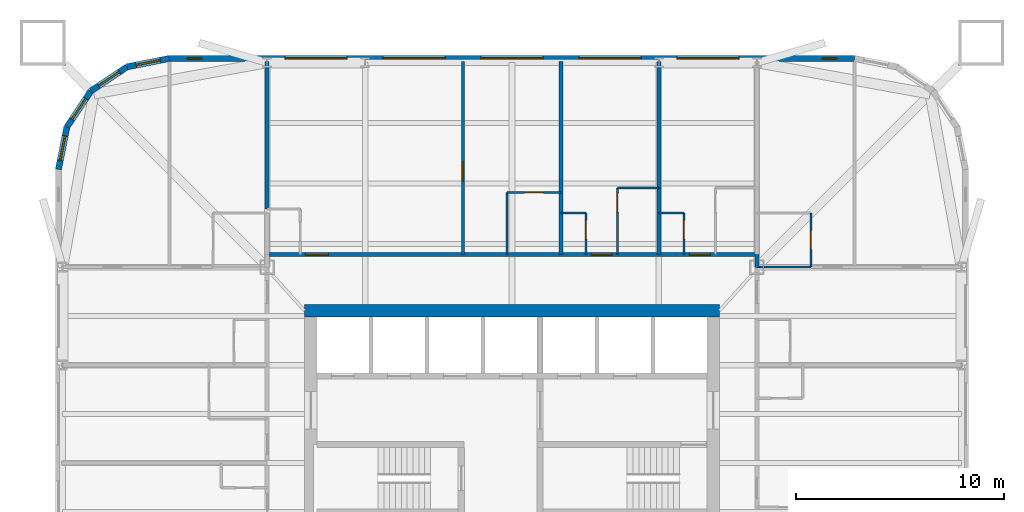
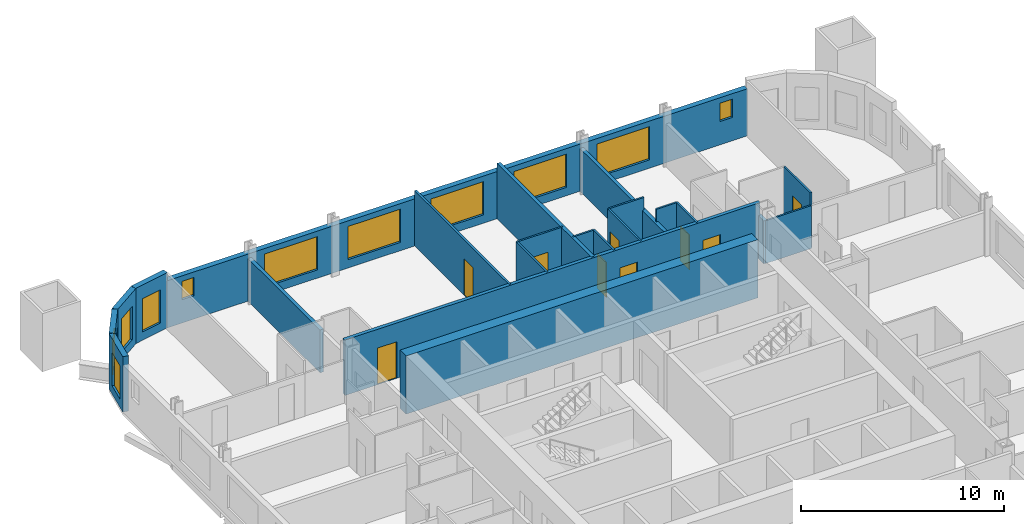
# One storey, part 7 of 9: 22 walls, 11 windows, 9 doors, 20 openings.
"""IFC4 building model written with IfcOpenShell, lengths in metres."""

from ifc_helpers import new_model, si_unit, direction, frame, frame_2d, origin, place, context, subcontext, project, spatial, rectangle, extrude, material, layer, layer_set, type_object, element, fill, save


model = new_model("IFC4")

# Units and contexts
model_context = context("Model", 3, precision=1e-05, world=origin(), true_north=direction((0.0, 1.0)))
body_context = subcontext(model_context, "Body", "Model", "MODEL_VIEW")
ifc_project = project(units=[si_unit("LENGTHUNIT", "METRE"), si_unit("AREAUNIT", "SQUARE_METRE"), si_unit("VOLUMEUNIT", "CUBIC_METRE"), si_unit("PLANEANGLEUNIT", "RADIAN"), si_unit("MASSUNIT", "GRAM", prefix="KILO")], contexts=[model_context])

# Site, building, storey
site_placement = place(None, origin())
site = spatial("IfcSite", under=ifc_project, at=site_placement, CompositionType="ELEMENT")
building_placement = place(site_placement, origin())
building = spatial("IfcBuilding", under=site, at=building_placement, Name="Turquesa Mirador Hotel Tower", CompositionType="ELEMENT")
storey_placement = place(building_placement, frame((0.0, 0.0, 35.5)))
storey = spatial("IfcBuildingStorey", under=building, at=storey_placement, Name="L08", CompositionType="ELEMENT", Elevation=35.5)

# Walls
ifc_material_1 = material(Name="Gypsum board on steel studs", Category="steel")
ifc_layer_1 = layer(ifc_material_1, 0.10009765625)
ifc_layer_set_1 = layer_set([ifc_layer_1], Name="BATHROOM WALL 100")
wall_type_1 = type_object("IfcWallType", Name="BATHROOM WALL 100", PredefinedType="PARTITIONING", material=ifc_layer_set_1)
wall_1_placement = place(storey_placement, frame((66.800048828125, 56.800048828125, 0.0), z_axis=(0.0, 0.0, 1.0), x_axis=(1.0, 0.0, 0.0)))
element("IfcWall", 1, at=wall_1_placement, inside=storey, type_object=wall_type_1, Name="Partition L08 025", PredefinedType="PARTITIONING", context=body_context, shape_type="SweptSolid", body=[
    extrude(rectangle(XDim=2.599853515625, YDim=0.10009765625, at=frame_2d((1.2998046875, 0.0))), origin(), (0.0, 0.0, 1.0), 2.572998046875),
])
for number, where, z_axis, x_axis, name in (
    (2, (57.360107421875, 59.39990234375, 0.0), (0.0, 0.0, 1.0), (1.0, 0.0, 0.0), "Partition L08 030"),
    (3, (62.080078125, 59.39990234375, 0.0), (0.0, 0.0, 1.0), (1.0, 0.0, 0.0), "Partition L08 031"),
):
    element("IfcWall", number, at=place(storey_placement, frame(where, z_axis=z_axis, x_axis=x_axis)), inside=storey, type_object=wall_type_1, Name=name, PredefinedType="PARTITIONING", context=body_context, shape_type="SweptSolid", body=[
        extrude(rectangle(XDim=1.199951171875, YDim=0.10009765625, at=frame_2d((0.60009765625, 0.0))), origin(), (0.0, 0.0, 1.0), 3.330078125),
    ])

# Wall, opening, door
wall_2_placement = place(storey_placement, frame((54.760009765625, 60.39990234375, 0.0), z_axis=(0.0, 0.0, 1.0), x_axis=(1.0, 0.0, 0.0)))
wall_2 = element("IfcWall", 4, at=wall_2_placement, inside=storey, type_object=wall_type_1, Name="Partition L08 034", PredefinedType="PARTITIONING", context=body_context, shape_type="SweptSolid", body=[
    extrude(rectangle(XDim=2.60009765625, YDim=0.10009765625, at=frame_2d((1.300048828125, 0.0))), origin(), (0.0, 0.0, 1.0), 3.330078125),
])
opening_1_placement = place(wall_2_placement, frame((0.85009765625, 0.0, 0.0)))
opening_1 = element("IfcOpeningElement", 5, at=opening_1_placement, cuts=wall_2, Name="Opening D02", PredefinedType="OPENING", context=body_context, shape_type="SweptSolid", body=[
    extrude(rectangle(XDim=0.89990234375, YDim=2.10009765625, at=frame_2d((0.449951171875, 1.050048828125))), frame((0.0, 0.06005859375, 0.0), z_axis=(0.0, -1.0, 0.0), x_axis=(1.0, 0.0, 0.0)), (0.0, 0.0, 1.0), 0.1201171875),
])
ifc_material_2 = material(Name="Timber veneered door", Category="wood")
door_type_1 = type_object("IfcDoorType", Name="DOOR 900X2100 EN-SUITE", OperationType="SINGLE_SWING_RIGHT", PredefinedType="DOOR", material=ifc_material_2)
door_1_placement = place(opening_1_placement, origin())
door_1 = element("IfcDoor", 6, at=door_1_placement, inside=storey, type_object=door_type_1, Name="Door 0801B", OperationType="SINGLE_SWING_RIGHT", OverallHeight=2.10009765625, OverallWidth=0.89990234375, PredefinedType="DOOR", context=body_context, shape_type="SweptSolid", body=[
    extrude(rectangle(XDim=0.89990234375, YDim=2.10009765625, at=frame_2d((0.449951171875, 1.050048828125))), frame((0.0, 0.02490234375, 0.0), z_axis=(0.0, -1.0, 0.0), x_axis=(1.0, 0.0, 0.0)), (0.0, 0.0, 1.0), 0.050048828125),
])
fill(opening_1, door_1)

# Walls
wall_3_placement = place(storey_placement, frame((60.080078125, 60.60009765625, 0.0), z_axis=(0.0, 0.0, 1.0), x_axis=(1.0, 0.0, 0.0)))
element("IfcWall", 7, at=wall_3_placement, inside=storey, type_object=wall_type_1, Name="Partition L08 035", PredefinedType="PARTITIONING", context=body_context, shape_type="SweptSolid", body=[
    extrude(rectangle(XDim=2.0, YDim=0.10009765625, at=frame_2d((1.0, 0.0))), origin(), (0.0, 0.0, 1.0), 3.330078125),
])
wall_4_placement = place(storey_placement, frame((54.760009765625, 57.39990234375, 0.0), z_axis=(0.0, 0.0, 1.0), x_axis=(0.0, 1.0, 0.0)))
element("IfcWall", 8, at=wall_4_placement, inside=storey, type_object=wall_type_1, Name="Partition L08 045", PredefinedType="PARTITIONING", context=body_context, shape_type="SweptSolid", body=[
    extrude(rectangle(XDim=3.0, YDim=0.10009765625, at=frame_2d((1.5, 0.0))), origin(), (0.0, 0.0, 1.0), 3.330078125),
])

# Wall, opening, door
wall_5_placement = place(storey_placement, frame((69.39990234375, 56.800048828125, 0.0), z_axis=(0.0, 0.0, 1.0), x_axis=(0.0, 1.0, 0.0)))
wall_5 = element("IfcWall", 9, at=wall_5_placement, inside=storey, type_object=wall_type_1, Name="Partition L08 073", PredefinedType="PARTITIONING", context=body_context, shape_type="SweptSolid", body=[
    extrude(rectangle(XDim=2.599853515625, YDim=0.10009765625, at=frame_2d((1.2998046875, 0.0))), origin(), (0.0, 0.0, 1.0), 3.330078125),
])
opening_2_placement = place(wall_5_placement, frame((0.85009765625, 0.0, 0.0)))
opening_2 = element("IfcOpeningElement", 10, at=opening_2_placement, cuts=wall_5, Name="Opening D02", PredefinedType="OPENING", context=body_context, shape_type="SweptSolid", body=[
    extrude(rectangle(XDim=0.89990234375, YDim=2.10009765625, at=frame_2d((0.449951171875, 1.050048828125))), frame((0.0, 0.06005859375, 0.0), z_axis=(0.0, -1.0, 0.0), x_axis=(1.0, 0.0, 0.0)), (0.0, 0.0, 1.0), 0.1201171875),
])
door_2_placement = place(opening_2_placement, origin())
door_2 = element("IfcDoor", 11, at=door_2_placement, inside=storey, type_object=door_type_1, Name="Door 0812B", OperationType="SINGLE_SWING_RIGHT", OverallHeight=2.10009765625, OverallWidth=0.89990234375, PredefinedType="DOOR", context=body_context, shape_type="SweptSolid", body=[
    extrude(rectangle(XDim=0.89990234375, YDim=2.10009765625, at=frame_2d((0.449951171875, 1.050048828125))), frame((0.0, 0.02490234375, 0.0), z_axis=(0.0, -1.0, 0.0), x_axis=(1.0, 0.0, 0.0)), (0.0, 0.0, 1.0), 0.050048828125),
])
fill(opening_2, door_2)

wall_6_placement = place(storey_placement, frame((58.56005859375, 57.39990234375, 0.0), z_axis=(0.0, 0.0, 1.0), x_axis=(0.0, 1.0, 0.0)))
wall_6 = element("IfcWall", 12, at=wall_6_placement, inside=storey, type_object=wall_type_1, Name="Partition L08 080", PredefinedType="PARTITIONING", context=body_context, shape_type="SweptSolid", body=[
    extrude(rectangle(XDim=2.0, YDim=0.10009765625, at=frame_2d((1.0, 0.0))), origin(), (0.0, 0.0, 1.0), 3.330078125),
])
opening_3_placement = place(wall_6_placement, frame((0.75, 0.0, 0.0)))
opening_3 = element("IfcOpeningElement", 13, at=opening_3_placement, cuts=wall_6, Name="Opening D06", PredefinedType="OPENING", context=body_context, shape_type="SweptSolid", body=[
    extrude(rectangle(XDim=0.89990234375, YDim=2.10009765625, at=frame_2d((0.449951171875, 1.050048828125))), frame((0.0, 0.06005859375, 0.0), z_axis=(0.0, -1.0, 0.0), x_axis=(1.0, 0.0, 0.0)), (0.0, 0.0, 1.0), 0.1201171875),
])
ifc_material_3 = material(Name="Laminate door", Category="wood")
door_type_2 = type_object("IfcDoorType", Name="DOOR 900X2100 WC", OperationType="SINGLE_SWING_LEFT", PredefinedType="DOOR", material=ifc_material_3)
door_3_placement = place(opening_3_placement, origin())
door_3 = element("IfcDoor", 14, at=door_3_placement, inside=storey, type_object=door_type_2, Name="Door 0802W", OperationType="SINGLE_SWING_LEFT", OverallHeight=2.10009765625, OverallWidth=0.89990234375, PredefinedType="DOOR", context=body_context, shape_type="SweptSolid", body=[
    extrude(rectangle(XDim=0.89990234375, YDim=2.10009765625, at=frame_2d((0.449951171875, 1.050048828125))), frame((0.0, 0.02490234375, 0.0), z_axis=(0.0, -1.0, 0.0), x_axis=(1.0, 0.0, 0.0)), (0.0, 0.0, 1.0), 0.050048828125),
])
fill(opening_3, door_3)

wall_7_placement = place(storey_placement, frame((60.080078125, 57.39990234375, 0.0), z_axis=(0.0, 0.0, 1.0), x_axis=(0.0, 1.0, 0.0)))
wall_7 = element("IfcWall", 15, at=wall_7_placement, inside=storey, type_object=wall_type_1, Name="Partition L08 082", PredefinedType="PARTITIONING", context=body_context, shape_type="SweptSolid", body=[
    extrude(rectangle(XDim=3.2001953125, YDim=0.10009765625, at=frame_2d((1.60009765625, 0.0))), origin(), (0.0, 0.0, 1.0), 3.330078125),
])
opening_4_placement = place(wall_7_placement, frame((2.050048828125, 0.0, 0.0)))
opening_4 = element("IfcOpeningElement", 16, at=opening_4_placement, cuts=wall_7, Name="Opening D02", PredefinedType="OPENING", context=body_context, shape_type="SweptSolid", body=[
    extrude(rectangle(XDim=0.89990234375, YDim=2.10009765625, at=frame_2d((0.449951171875, 1.050048828125))), frame((0.0, 0.06005859375, 0.0), z_axis=(0.0, -1.0, 0.0), x_axis=(1.0, 0.0, 0.0)), (0.0, 0.0, 1.0), 0.1201171875),
])
door_4_placement = place(opening_4_placement, origin())
door_4 = element("IfcDoor", 17, at=door_4_placement, inside=storey, type_object=door_type_1, Name="Door 0802B", OperationType="SINGLE_SWING_RIGHT", OverallHeight=2.10009765625, OverallWidth=0.89990234375, PredefinedType="DOOR", context=body_context, shape_type="SweptSolid", body=[
    extrude(rectangle(XDim=0.89990234375, YDim=2.10009765625, at=frame_2d((0.449951171875, 1.050048828125))), frame((0.0, 0.02490234375, 0.0), z_axis=(0.0, -1.0, 0.0), x_axis=(1.0, 0.0, 0.0)), (0.0, 0.0, 1.0), 0.050048828125),
])
fill(opening_4, door_4)

wall_8_placement = place(storey_placement, frame((63.280029296875, 57.39990234375, 0.0), z_axis=(0.0, 0.0, 1.0), x_axis=(0.0, 1.0, 0.0)))
wall_8 = element("IfcWall", 18, at=wall_8_placement, inside=storey, type_object=wall_type_1, Name="Partition L08 085", PredefinedType="PARTITIONING", context=body_context, shape_type="SweptSolid", body=[
    extrude(rectangle(XDim=2.0, YDim=0.10009765625, at=frame_2d((1.0, 0.0))), origin(), (0.0, 0.0, 1.0), 3.330078125),
])
opening_5_placement = place(wall_8_placement, frame((0.75, 0.0, 0.0)))
opening_5 = element("IfcOpeningElement", 19, at=opening_5_placement, cuts=wall_8, Name="Opening D06", PredefinedType="OPENING", context=body_context, shape_type="SweptSolid", body=[
    extrude(rectangle(XDim=0.89990234375, YDim=2.10009765625, at=frame_2d((0.449951171875, 1.050048828125))), frame((0.0, 0.06005859375, 0.0), z_axis=(0.0, -1.0, 0.0), x_axis=(1.0, 0.0, 0.0)), (0.0, 0.0, 1.0), 0.1201171875),
])
door_5_placement = place(opening_5_placement, origin())
door_5 = element("IfcDoor", 20, at=door_5_placement, inside=storey, type_object=door_type_2, Name="Door 0803W", OperationType="SINGLE_SWING_LEFT", OverallHeight=2.10009765625, OverallWidth=0.89990234375, PredefinedType="DOOR", context=body_context, shape_type="SweptSolid", body=[
    extrude(rectangle(XDim=0.89990234375, YDim=2.10009765625, at=frame_2d((0.449951171875, 1.050048828125))), frame((0.0, 0.02490234375, 0.0), z_axis=(0.0, -1.0, 0.0), x_axis=(1.0, 0.0, 0.0)), (0.0, 0.0, 1.0), 0.050048828125),
])
fill(opening_5, door_5)

# Wall
ifc_material_4 = material(Name="Concrete C50/60", Category="concrete")
ifc_layer_2 = layer(ifc_material_4, 0.60009765625)
ifc_layer_set_2 = layer_set([ifc_layer_2], Name="CORE WALL 600")
wall_type_2 = type_object("IfcWallType", Name="CORE WALL 600", PredefinedType="SHEAR", material=ifc_layer_set_2)
wall_9_placement = place(storey_placement, frame((45.0, 54.699951171875, 0.0), z_axis=(0.0, 0.0, 1.0), x_axis=(1.0, 0.0, 0.0)))
element("IfcWall", 21, at=wall_9_placement, inside=storey, type_object=wall_type_2, Name="Core wall N", PredefinedType="SHEAR", context=body_context, shape_type="SweptSolid", body=[
    extrude(rectangle(XDim=20.0, YDim=0.60009765625, at=frame_2d((10.0, 0.0))), origin(), (0.0, 0.0, 1.0), 3.5),
])

# Wall, openings, doors
ifc_material_5 = material(Name="Fire-rated gypsum board on steel studs", Category="steel")
ifc_layer_3 = layer(ifc_material_5, 0.199951171875)
ifc_layer_set_3 = layer_set([ifc_layer_3], Name="CORRIDOR WALL 200")
wall_type_3 = type_object("IfcWallType", Name="CORRIDOR WALL 200", PredefinedType="PARTITIONING", material=ifc_layer_set_3)
wall_10_placement = place(storey_placement, frame((43.199951171875, 57.39990234375, 0.0), z_axis=(0.0, 0.0, 1.0), x_axis=(1.0, 0.0, 0.0)))
wall_10 = element("IfcWall", 22, at=wall_10_placement, inside=storey, type_object=wall_type_3, Name="Partition L08 028", PredefinedType="PARTITIONING", context=body_context, shape_type="SweptSolid", body=[
    extrude(rectangle(XDim=23.60009765625, YDim=0.199951171875, at=frame_2d((11.800048828125, 0.0))), origin(), (0.0, 0.0, 1.0), 3.330078125),
])
opening_6_placement = place(wall_10_placement, frame((1.85009765625, 0.0, 0.0)))
opening_6 = element("IfcOpeningElement", 23, at=opening_6_placement, cuts=wall_10, Name="Opening D15", PredefinedType="OPENING", context=body_context, shape_type="SweptSolid", body=[
    extrude(rectangle(XDim=1.10009765625, YDim=2.199951171875, at=frame_2d((0.550048828125, 1.10009765625))), frame((0.0, 0.10986328125, 0.0), z_axis=(0.0, -1.0, 0.0), x_axis=(1.0, 0.0, 0.0)), (0.0, 0.0, 1.0), 0.219970703125),
])
opening_7_placement = place(wall_10_placement, frame((15.6201171875, 0.0, 0.0)))
opening_7 = element("IfcOpeningElement", 24, at=opening_7_placement, cuts=wall_10, Name="Opening D01", PredefinedType="OPENING", context=body_context, shape_type="SweptSolid", body=[
    extrude(rectangle(XDim=1.0, YDim=2.199951171875, at=frame_2d((0.5, 1.10009765625))), frame((0.0, 0.10986328125, 0.0), z_axis=(0.0, -1.0, 0.0), x_axis=(1.0, 0.0, 0.0)), (0.0, 0.0, 1.0), 0.219970703125),
])
opening_8_placement = place(wall_10_placement, frame((20.340087890625, 0.0, 0.0)))
opening_8 = element("IfcOpeningElement", 25, at=opening_8_placement, cuts=wall_10, Name="Opening D01", PredefinedType="OPENING", context=body_context, shape_type="SweptSolid", body=[
    extrude(rectangle(XDim=1.0, YDim=2.199951171875, at=frame_2d((0.5, 1.10009765625))), frame((0.0, 0.10986328125, 0.0), z_axis=(0.0, -1.0, 0.0), x_axis=(1.0, 0.0, 0.0)), (0.0, 0.0, 1.0), 0.219970703125),
])
ifc_material_6 = material(Name="Timber veneered fire door", Category="wood")
door_type_3 = type_object("IfcDoorType", Name="DOOR 1000X2200 GUEST ENTRY", OperationType="SINGLE_SWING_LEFT", PredefinedType="DOOR", material=ifc_material_6)
door_6_placement = place(opening_7_placement, origin())
door_6 = element("IfcDoor", 26, at=door_6_placement, inside=storey, type_object=door_type_3, Name="Door 0802", OperationType="SINGLE_SWING_LEFT", OverallHeight=2.199951171875, OverallWidth=1.0, PredefinedType="DOOR", context=body_context, shape_type="SweptSolid", body=[
    extrude(rectangle(XDim=1.0, YDim=2.199951171875, at=frame_2d((0.5, 1.10009765625))), frame((0.0, 0.02490234375, 0.0), z_axis=(0.0, -1.0, 0.0), x_axis=(1.0, 0.0, 0.0)), (0.0, 0.0, 1.0), 0.050048828125),
])
fill(opening_7, door_6)
door_7_placement = place(opening_8_placement, origin())
door_7 = element("IfcDoor", 27, at=door_7_placement, inside=storey, type_object=door_type_3, Name="Door 0803", OperationType="SINGLE_SWING_LEFT", OverallHeight=2.199951171875, OverallWidth=1.0, PredefinedType="DOOR", context=body_context, shape_type="SweptSolid", body=[
    extrude(rectangle(XDim=1.0, YDim=2.199951171875, at=frame_2d((0.5, 1.10009765625))), frame((0.0, 0.02490234375, 0.0), z_axis=(0.0, -1.0, 0.0), x_axis=(1.0, 0.0, 0.0)), (0.0, 0.0, 1.0), 0.050048828125),
])
fill(opening_8, door_7)
ifc_material_7 = material(Name="Timber veneered fire door", Category="wood")
door_type_4 = type_object("IfcDoorType", Name="DOOR 1100X2200 SUITE ENTRY", OperationType="SINGLE_SWING_LEFT", PredefinedType="DOOR", material=ifc_material_7)
door_8_placement = place(opening_6_placement, origin())
door_8 = element("IfcDoor", 28, at=door_8_placement, inside=storey, type_object=door_type_4, Name="Door 0801", OperationType="SINGLE_SWING_LEFT", OverallHeight=2.199951171875, OverallWidth=1.10009765625, PredefinedType="DOOR", context=body_context, shape_type="SweptSolid", body=[
    extrude(rectangle(XDim=1.10009765625, YDim=2.199951171875, at=frame_2d((0.550048828125, 1.10009765625))), frame((0.0, 0.02490234375, 0.0), z_axis=(0.0, -1.0, 0.0), x_axis=(1.0, 0.0, 0.0)), (0.0, 0.0, 1.0), 0.050048828125),
])
fill(opening_6, door_8)

# Wall
wall_11_placement = place(storey_placement, frame((66.800048828125, 56.780029296875, 0.0), z_axis=(0.0, 0.0, 1.0), x_axis=(0.0, 1.0, 0.0)))
element("IfcWall", 29, at=wall_11_placement, inside=storey, type_object=wall_type_3, Name="Partition L08 091", PredefinedType="PARTITIONING", context=body_context, shape_type="SweptSolid", body=[
    extrude(rectangle(XDim=0.619873046875, YDim=0.199951171875, at=frame_2d((0.31005859375, 0.0))), origin(), (0.0, 0.0, 1.0), 2.572998046875),
])

# Wall, openings, windows
ifc_material_8 = material(Name="Limestone cladding on concrete block", Category="masonry")
ifc_layer_4 = layer(ifc_material_8, 0.300048828125)
ifc_layer_set_4 = layer_set([ifc_layer_4], Name="FACADE WALL 300 STONE SCREEN")
wall_type_4 = type_object("IfcWallType", Name="FACADE WALL 300 STONE SCREEN", PredefinedType="SOLIDWALL", material=ifc_layer_set_4)
wall_12_placement = place(storey_placement, frame((71.5, 66.85009765625, 0.0), z_axis=(0.0, 0.0, 1.0), x_axis=(-1.0, 0.0, 0.0)))
wall_12 = element("IfcWall", 30, at=wall_12_placement, inside=storey, type_object=wall_type_4, Name="Facade wall L08 09", PredefinedType="SOLIDWALL", context=body_context, shape_type="SweptSolid", body=[
    extrude(rectangle(XDim=33.0, YDim=0.300048828125, at=frame_2d((16.5, 0.0))), origin(), (0.0, 0.0, 1.0), 2.830078125),
])
opening_9_placement = place(wall_12_placement, frame((0.85009765625, 0.0, 1.39990234375)))
opening_9 = element("IfcOpeningElement", 31, at=opening_9_placement, cuts=wall_12, Name="Opening WN33", PredefinedType="OPENING", context=body_context, shape_type="SweptSolid", body=[
    extrude(rectangle(XDim=0.699951171875, YDim=1.10009765625, at=frame_2d((0.35009765625, 0.550048828125))), frame((0.0, 0.159912109375, 0.0), z_axis=(0.0, -1.0, 0.0), x_axis=(1.0, 0.0, 0.0)), (0.0, 0.0, 1.0), 0.320068359375),
])
opening_10_placement = place(wall_12_placement, frame((5.56005859375, 0.0, 0.5)))
opening_10 = element("IfcOpeningElement", 32, at=opening_10_placement, cuts=wall_12, Name="Opening WN1", PredefinedType="OPENING", context=body_context, shape_type="SweptSolid", body=[
    extrude(rectangle(XDim=3.0, YDim=2.0, at=frame_2d((1.5, 1.0))), frame((0.0, 0.159912109375, 0.0), z_axis=(0.0, -1.0, 0.0), x_axis=(1.0, 0.0, 0.0)), (0.0, 0.0, 1.0), 0.320068359375),
])
opening_11_placement = place(wall_12_placement, frame((10.280029296875, 0.0, 0.5)))
opening_11 = element("IfcOpeningElement", 33, at=opening_11_placement, cuts=wall_12, Name="Opening WN1", PredefinedType="OPENING", context=body_context, shape_type="SweptSolid", body=[
    extrude(rectangle(XDim=3.0, YDim=2.0, at=frame_2d((1.5, 1.0))), frame((0.0, 0.159912109375, 0.0), z_axis=(0.0, -1.0, 0.0), x_axis=(1.0, 0.0, 0.0)), (0.0, 0.0, 1.0), 0.320068359375),
])
opening_12_placement = place(wall_12_placement, frame((15.0, 0.0, 0.5)))
opening_12 = element("IfcOpeningElement", 34, at=opening_12_placement, cuts=wall_12, Name="Opening WN1", PredefinedType="OPENING", context=body_context, shape_type="SweptSolid", body=[
    extrude(rectangle(XDim=3.0, YDim=2.0, at=frame_2d((1.5, 1.0))), frame((0.0, 0.159912109375, 0.0), z_axis=(0.0, -1.0, 0.0), x_axis=(1.0, 0.0, 0.0)), (0.0, 0.0, 1.0), 0.320068359375),
])
opening_13_placement = place(wall_12_placement, frame((19.719970703125, 0.0, 0.5)))
opening_13 = element("IfcOpeningElement", 35, at=opening_13_placement, cuts=wall_12, Name="Opening WN1", PredefinedType="OPENING", context=body_context, shape_type="SweptSolid", body=[
    extrude(rectangle(XDim=3.0, YDim=2.0, at=frame_2d((1.5, 1.0))), frame((0.0, 0.159912109375, 0.0), z_axis=(0.0, -1.0, 0.0), x_axis=(1.0, 0.0, 0.0)), (0.0, 0.0, 1.0), 0.320068359375),
])
opening_14_placement = place(wall_12_placement, frame((24.43994140625, 0.0, 0.5)))
opening_14 = element("IfcOpeningElement", 36, at=opening_14_placement, cuts=wall_12, Name="Opening WN1", PredefinedType="OPENING", context=body_context, shape_type="SweptSolid", body=[
    extrude(rectangle(XDim=3.0, YDim=2.0, at=frame_2d((1.5, 1.0))), frame((0.0, 0.159912109375, 0.0), z_axis=(0.0, -1.0, 0.0), x_axis=(1.0, 0.0, 0.0)), (0.0, 0.0, 1.0), 0.320068359375),
])
opening_15_placement = place(wall_12_placement, frame((31.449951171875, 0.0, 1.39990234375)))
opening_15 = element("IfcOpeningElement", 37, at=opening_15_placement, cuts=wall_12, Name="Opening WN33", PredefinedType="OPENING", context=body_context, shape_type="SweptSolid", body=[
    extrude(rectangle(XDim=0.699951171875, YDim=1.10009765625, at=frame_2d((0.35009765625, 0.550048828125))), frame((0.0, 0.159912109375, 0.0), z_axis=(0.0, -1.0, 0.0), x_axis=(1.0, 0.0, 0.0)), (0.0, 0.0, 1.0), 0.320068359375),
])
ifc_material_9 = material(Name="Ceramic-fritted laminated glass", Category="glass")
window_type_1 = type_object("IfcWindowType", Name="FRITTED WINDOW 3000X2000", PartitioningType="DOUBLE_PANEL_HORIZONTAL", PredefinedType="WINDOW", material=ifc_material_9)
window_1_placement = place(opening_10_placement, origin())
window_1 = element("IfcWindow", 38, at=window_1_placement, inside=storey, type_object=window_type_1, Name="Window L08", OverallHeight=2.0, OverallWidth=3.0, PartitioningType="SINGLE_PANEL", PredefinedType="WINDOW", context=body_context, shape_type="SweptSolid", body=[
    extrude(rectangle(XDim=3.0, YDim=2.0, at=frame_2d((1.5, 1.0))), frame((0.0, 0.030029296875, 0.0), z_axis=(0.0, -1.0, 0.0), x_axis=(1.0, 0.0, 0.0)), (0.0, 0.0, 1.0), 0.06005859375),
])
fill(opening_10, window_1)
window_2_placement = place(opening_11_placement, origin())
window_2 = element("IfcWindow", 39, at=window_2_placement, inside=storey, type_object=window_type_1, Name="Window L08", OverallHeight=2.0, OverallWidth=3.0, PartitioningType="SINGLE_PANEL", PredefinedType="WINDOW", context=body_context, shape_type="SweptSolid", body=[
    extrude(rectangle(XDim=3.0, YDim=2.0, at=frame_2d((1.5, 1.0))), frame((0.0, 0.030029296875, 0.0), z_axis=(0.0, -1.0, 0.0), x_axis=(1.0, 0.0, 0.0)), (0.0, 0.0, 1.0), 0.06005859375),
])
fill(opening_11, window_2)
window_3_placement = place(opening_12_placement, origin())
window_3 = element("IfcWindow", 40, at=window_3_placement, inside=storey, type_object=window_type_1, Name="Window L08", OverallHeight=2.0, OverallWidth=3.0, PartitioningType="SINGLE_PANEL", PredefinedType="WINDOW", context=body_context, shape_type="SweptSolid", body=[
    extrude(rectangle(XDim=3.0, YDim=2.0, at=frame_2d((1.5, 1.0))), frame((0.0, 0.030029296875, 0.0), z_axis=(0.0, -1.0, 0.0), x_axis=(1.0, 0.0, 0.0)), (0.0, 0.0, 1.0), 0.06005859375),
])
fill(opening_12, window_3)
window_4_placement = place(opening_13_placement, origin())
window_4 = element("IfcWindow", 41, at=window_4_placement, inside=storey, type_object=window_type_1, Name="Window L08", OverallHeight=2.0, OverallWidth=3.0, PartitioningType="SINGLE_PANEL", PredefinedType="WINDOW", context=body_context, shape_type="SweptSolid", body=[
    extrude(rectangle(XDim=3.0, YDim=2.0, at=frame_2d((1.5, 1.0))), frame((0.0, 0.030029296875, 0.0), z_axis=(0.0, -1.0, 0.0), x_axis=(1.0, 0.0, 0.0)), (0.0, 0.0, 1.0), 0.06005859375),
])
fill(opening_13, window_4)
window_5_placement = place(opening_14_placement, origin())
window_5 = element("IfcWindow", 42, at=window_5_placement, inside=storey, type_object=window_type_1, Name="Window L08", OverallHeight=2.0, OverallWidth=3.0, PartitioningType="SINGLE_PANEL", PredefinedType="WINDOW", context=body_context, shape_type="SweptSolid", body=[
    extrude(rectangle(XDim=3.0, YDim=2.0, at=frame_2d((1.5, 1.0))), frame((0.0, 0.030029296875, 0.0), z_axis=(0.0, -1.0, 0.0), x_axis=(1.0, 0.0, 0.0)), (0.0, 0.0, 1.0), 0.06005859375),
])
fill(opening_14, window_5)
ifc_material_10 = material(Name="Ceramic-fritted laminated glass", Category="glass")
window_type_2 = type_object("IfcWindowType", Name="FRITTED WINDOW 700X1100", PartitioningType="DOUBLE_PANEL_HORIZONTAL", PredefinedType="WINDOW", material=ifc_material_10)
window_6_placement = place(opening_9_placement, origin())
window_6 = element("IfcWindow", 43, at=window_6_placement, inside=storey, type_object=window_type_2, Name="Window L08", OverallHeight=1.10009765625, OverallWidth=0.699951171875, PartitioningType="SINGLE_PANEL", PredefinedType="WINDOW", context=body_context, shape_type="SweptSolid", body=[
    extrude(rectangle(XDim=0.699951171875, YDim=1.10009765625, at=frame_2d((0.35009765625, 0.550048828125))), frame((0.0, 0.030029296875, 0.0), z_axis=(0.0, -1.0, 0.0), x_axis=(1.0, 0.0, 0.0)), (0.0, 0.0, 1.0), 0.06005859375),
])
fill(opening_9, window_6)
window_7_placement = place(opening_15_placement, origin())
window_7 = element("IfcWindow", 44, at=window_7_placement, inside=storey, type_object=window_type_2, Name="Window L08", OverallHeight=1.10009765625, OverallWidth=0.699951171875, PartitioningType="SINGLE_PANEL", PredefinedType="WINDOW", context=body_context, shape_type="SweptSolid", body=[
    extrude(rectangle(XDim=0.699951171875, YDim=1.10009765625, at=frame_2d((0.35009765625, 0.550048828125))), frame((0.0, 0.030029296875, 0.0), z_axis=(0.0, -1.0, 0.0), x_axis=(1.0, 0.0, 0.0)), (0.0, 0.0, 1.0), 0.06005859375),
])
fill(opening_15, window_7)

# Wall, opening, window
wall_13_placement = place(storey_placement, frame((38.5, 66.85009765625, 0.0), z_axis=(0.0, 0.0, 1.0), x_axis=(-0.980787050784, -0.195081421501, 0.0)))
wall_13 = element("IfcWall", 45, at=wall_13_placement, inside=storey, type_object=wall_type_4, Name="Facade wall L08 10", PredefinedType="SOLIDWALL", context=body_context, shape_type="SweptSolid", body=[
    extrude(rectangle(XDim=2.08740234375, YDim=0.300048828125, at=frame_2d((1.043701171875, 0.0))), origin(), (0.0, 0.0, 1.0), 3.330078125),
])
opening_16_placement = place(wall_13_placement, frame((0.443603515625, 0.0, 0.5)))
opening_16 = element("IfcOpeningElement", 46, at=opening_16_placement, cuts=wall_13, Name="Opening WN4", PredefinedType="OPENING", context=body_context, shape_type="SweptSolid", body=[
    extrude(rectangle(XDim=1.199951171875, YDim=2.0, at=frame_2d((0.60009765625, 1.0))), frame((0.0, 0.159912109375, 0.0), z_axis=(0.0, -1.0, 0.0), x_axis=(1.0, 0.0, 0.0)), (0.0, 0.0, 1.0), 0.320068359375),
])
ifc_material_11 = material(Name="Ceramic-fritted laminated glass", Category="glass")
window_type_3 = type_object("IfcWindowType", Name="FRITTED CORNER WINDOW 1200X2000", PartitioningType="DOUBLE_PANEL_HORIZONTAL", PredefinedType="WINDOW", material=ifc_material_11)
window_8_placement = place(opening_16_placement, origin())
window_8 = element("IfcWindow", 47, at=window_8_placement, inside=storey, type_object=window_type_3, Name="Window L08", OverallHeight=2.0, OverallWidth=1.199951171875, PartitioningType="SINGLE_PANEL", PredefinedType="WINDOW", context=body_context, shape_type="SweptSolid", body=[
    extrude(rectangle(XDim=1.199951171875, YDim=2.0, at=frame_2d((0.60009765625, 1.0))), frame((0.0, 0.030029296875, 0.0), z_axis=(0.0, -1.0, 0.0), x_axis=(1.0, 0.0, 0.0)), (0.0, 0.0, 1.0), 0.06005859375),
])
fill(opening_16, window_8)

wall_14_placement = place(storey_placement, frame((36.45263671875, 66.44287109375, 0.0), z_axis=(0.0, 0.0, 1.0), x_axis=(-0.831420010345, -0.555644460423, 0.0)))
wall_14 = element("IfcWall", 48, at=wall_14_placement, inside=storey, type_object=wall_type_4, Name="Facade wall L08 11", PredefinedType="SOLIDWALL", context=body_context, shape_type="SweptSolid", body=[
    extrude(rectangle(XDim=2.08740234375, YDim=0.300048828125, at=frame_2d((1.043701171875, 0.0))), origin(), (0.0, 0.0, 1.0), 3.330078125),
])
opening_17_placement = place(wall_14_placement, frame((0.443603515625, 0.0, 0.5)))
opening_17 = element("IfcOpeningElement", 49, at=opening_17_placement, cuts=wall_14, Name="Opening WN4", PredefinedType="OPENING", context=body_context, shape_type="SweptSolid", body=[
    extrude(rectangle(XDim=1.199951171875, YDim=2.0, at=frame_2d((0.60009765625, 1.0))), frame((0.0, 0.159912109375, 0.0), z_axis=(0.0, -1.0, 0.0), x_axis=(1.0, 0.0, 0.0)), (0.0, 0.0, 1.0), 0.320068359375),
])
window_9_placement = place(opening_17_placement, origin())
window_9 = element("IfcWindow", 50, at=window_9_placement, inside=storey, type_object=window_type_3, Name="Window L08", OverallHeight=2.0, OverallWidth=1.199951171875, PartitioningType="SINGLE_PANEL", PredefinedType="WINDOW", context=body_context, shape_type="SweptSolid", body=[
    extrude(rectangle(XDim=1.199951171875, YDim=2.0, at=frame_2d((0.60009765625, 1.0))), frame((0.0, 0.030029296875, 0.0), z_axis=(0.0, -1.0, 0.0), x_axis=(1.0, 0.0, 0.0)), (0.0, 0.0, 1.0), 0.06005859375),
])
fill(opening_17, window_9)

wall_15_placement = place(storey_placement, frame((34.717041015625, 65.282958984375, 0.0), z_axis=(0.0, 0.0, 1.0), x_axis=(-0.555644460423, -0.831420010345, 0.0)))
wall_15 = element("IfcWall", 51, at=wall_15_placement, inside=storey, type_object=wall_type_4, Name="Facade wall L08 12", PredefinedType="SOLIDWALL", context=body_context, shape_type="SweptSolid", body=[
    extrude(rectangle(XDim=2.08740234375, YDim=0.300048828125, at=frame_2d((1.043701171875, 0.0))), origin(), (0.0, 0.0, 1.0), 3.330078125),
])
opening_18_placement = place(wall_15_placement, frame((0.443603515625, 0.0, 0.5)))
opening_18 = element("IfcOpeningElement", 52, at=opening_18_placement, cuts=wall_15, Name="Opening WN4", PredefinedType="OPENING", context=body_context, shape_type="SweptSolid", body=[
    extrude(rectangle(XDim=1.199951171875, YDim=2.0, at=frame_2d((0.60009765625, 1.0))), frame((0.0, 0.159912109375, 0.0), z_axis=(0.0, -1.0, 0.0), x_axis=(1.0, 0.0, 0.0)), (0.0, 0.0, 1.0), 0.320068359375),
])
window_10_placement = place(opening_18_placement, origin())
window_10 = element("IfcWindow", 53, at=window_10_placement, inside=storey, type_object=window_type_3, Name="Window L08", OverallHeight=2.0, OverallWidth=1.199951171875, PartitioningType="SINGLE_PANEL", PredefinedType="WINDOW", context=body_context, shape_type="SweptSolid", body=[
    extrude(rectangle(XDim=1.199951171875, YDim=2.0, at=frame_2d((0.60009765625, 1.0))), frame((0.0, 0.030029296875, 0.0), z_axis=(0.0, -1.0, 0.0), x_axis=(1.0, 0.0, 0.0)), (0.0, 0.0, 1.0), 0.06005859375),
])
fill(opening_18, window_10)

wall_16_placement = place(storey_placement, frame((33.55712890625, 63.54736328125, 0.0), z_axis=(0.0, 0.0, 1.0), x_axis=(-0.195081421501, -0.980787050784, 0.0)))
wall_16 = element("IfcWall", 54, at=wall_16_placement, inside=storey, type_object=wall_type_4, Name="Facade wall L08 13", PredefinedType="SOLIDWALL", context=body_context, shape_type="SweptSolid", body=[
    extrude(rectangle(XDim=2.08740234375, YDim=0.300048828125, at=frame_2d((1.043701171875, 0.0))), origin(), (0.0, 0.0, 1.0), 3.330078125),
])
opening_19_placement = place(wall_16_placement, frame((0.443603515625, 0.0, 0.5)))
opening_19 = element("IfcOpeningElement", 55, at=opening_19_placement, cuts=wall_16, Name="Opening WN4", PredefinedType="OPENING", context=body_context, shape_type="SweptSolid", body=[
    extrude(rectangle(XDim=1.199951171875, YDim=2.0, at=frame_2d((0.60009765625, 1.0))), frame((0.0, 0.159912109375, 0.0), z_axis=(0.0, -1.0, 0.0), x_axis=(1.0, 0.0, 0.0)), (0.0, 0.0, 1.0), 0.320068359375),
])
window_11_placement = place(opening_19_placement, origin())
window_11 = element("IfcWindow", 56, at=window_11_placement, inside=storey, type_object=window_type_3, Name="Window L08", OverallHeight=2.0, OverallWidth=1.199951171875, PartitioningType="SINGLE_PANEL", PredefinedType="WINDOW", context=body_context, shape_type="SweptSolid", body=[
    extrude(rectangle(XDim=1.199951171875, YDim=2.0, at=frame_2d((0.60009765625, 1.0))), frame((0.0, 0.030029296875, 0.0), z_axis=(0.0, -1.0, 0.0), x_axis=(1.0, 0.0, 0.0)), (0.0, 0.0, 1.0), 0.06005859375),
])
fill(opening_19, window_11)

# Walls
ifc_material_12 = material(Name="Fire-rated gypsum board on steel studs", Category="steel")
ifc_layer_5 = layer(ifc_material_12, 0.199951171875)
ifc_layer_set_5 = layer_set([ifc_layer_5], Name="PARTY WALL 200")
wall_type_5 = type_object("IfcWallType", Name="PARTY WALL 200", PredefinedType="PARTITIONING", material=ifc_layer_set_5)
wall_17_placement = place(storey_placement, frame((43.199951171875, 59.60009765625, 0.0), z_axis=(0.0, 0.0, 1.0), x_axis=(0.0, 1.0, 0.0)))
element("IfcWall", 57, at=wall_17_placement, inside=storey, type_object=wall_type_5, Name="Partition L08 052", PredefinedType="PARTITIONING", context=body_context, shape_type="SweptSolid", body=[
    extrude(rectangle(XDim=7.099853515625, YDim=0.199951171875, at=frame_2d((3.5498046875, 0.0))), origin(), (0.0, 0.0, 1.0), 2.572998046875),
])
wall_18_placement = place(storey_placement, frame((57.360107421875, 57.39990234375, 0.0), z_axis=(0.0, 0.0, 1.0), x_axis=(0.0, 1.0, 0.0)))
element("IfcWall", 58, at=wall_18_placement, inside=storey, type_object=wall_type_5, Name="Partition L08 079", PredefinedType="PARTITIONING", context=body_context, shape_type="SweptSolid", body=[
    extrude(rectangle(XDim=9.300048828125, YDim=0.199951171875, at=frame_2d((4.64990234375, 0.0))), origin(), (0.0, 0.0, 1.0), 3.330078125),
])
wall_19_placement = place(storey_placement, frame((62.080078125, 57.39990234375, 0.0), z_axis=(0.0, 0.0, 1.0), x_axis=(0.0, 1.0, 0.0)))
element("IfcWall", 59, at=wall_19_placement, inside=storey, type_object=wall_type_5, Name="Partition L08 084", PredefinedType="PARTITIONING", context=body_context, shape_type="SweptSolid", body=[
    extrude(rectangle(XDim=9.300048828125, YDim=0.199951171875, at=frame_2d((4.64990234375, 0.0))), origin(), (0.0, 0.0, 1.0), 2.572998046875),
])

# Wall, opening, door
ifc_material_13 = material(Name="Acoustic gypsum board on steel studs", Category="steel")
ifc_layer_6 = layer(ifc_material_13, 0.125)
ifc_layer_set_6 = layer_set([ifc_layer_6], Name="SUITE PARTITION 125")
wall_type_6 = type_object("IfcWallType", Name="SUITE PARTITION 125", PredefinedType="PARTITIONING", material=ifc_layer_set_6)
wall_20_placement = place(storey_placement, frame((52.639892578125, 57.39990234375, 0.0), z_axis=(0.0, 0.0, 1.0), x_axis=(0.0, 1.0, 0.0)))
wall_20 = element("IfcWall", 60, at=wall_20_placement, inside=storey, type_object=wall_type_6, Name="Partition L08 065", PredefinedType="PARTITIONING", context=body_context, shape_type="SweptSolid", body=[
    extrude(rectangle(XDim=9.300048828125, YDim=0.125, at=frame_2d((4.64990234375, 0.0))), origin(), (0.0, 0.0, 1.0), 3.330078125),
])
opening_20_placement = place(wall_20_placement, frame((3.550048828125, 0.0, 0.0)))
opening_20 = element("IfcOpeningElement", 61, at=opening_20_placement, cuts=wall_20, Name="Opening D17", PredefinedType="OPENING", context=body_context, shape_type="SweptSolid", body=[
    extrude(rectangle(XDim=0.89990234375, YDim=2.199951171875, at=frame_2d((0.449951171875, 1.10009765625))), frame((0.0, 0.072509765625, 0.0), z_axis=(0.0, -1.0, 0.0), x_axis=(1.0, 0.0, 0.0)), (0.0, 0.0, 1.0), 0.14501953125),
])
ifc_material_14 = material(Name="Timber veneered door", Category="wood")
door_type_5 = type_object("IfcDoorType", Name="DOOR 900X2200 SUITE INTERNAL", OperationType="SINGLE_SWING_LEFT", PredefinedType="DOOR", material=ifc_material_14)
door_9_placement = place(opening_20_placement, origin())
door_9 = element("IfcDoor", 62, at=door_9_placement, inside=storey, type_object=door_type_5, Name="Door 0801R", OperationType="SINGLE_SWING_LEFT", OverallHeight=2.199951171875, OverallWidth=0.89990234375, PredefinedType="DOOR", context=body_context, shape_type="SweptSolid", body=[
    extrude(rectangle(XDim=0.89990234375, YDim=2.199951171875, at=frame_2d((0.449951171875, 1.10009765625))), frame((0.0, 0.02490234375, 0.0), z_axis=(0.0, -1.0, 0.0), x_axis=(1.0, 0.0, 0.0)), (0.0, 0.0, 1.0), 0.050048828125),
])
fill(opening_20, door_9)

save(model, "model.ifc")
